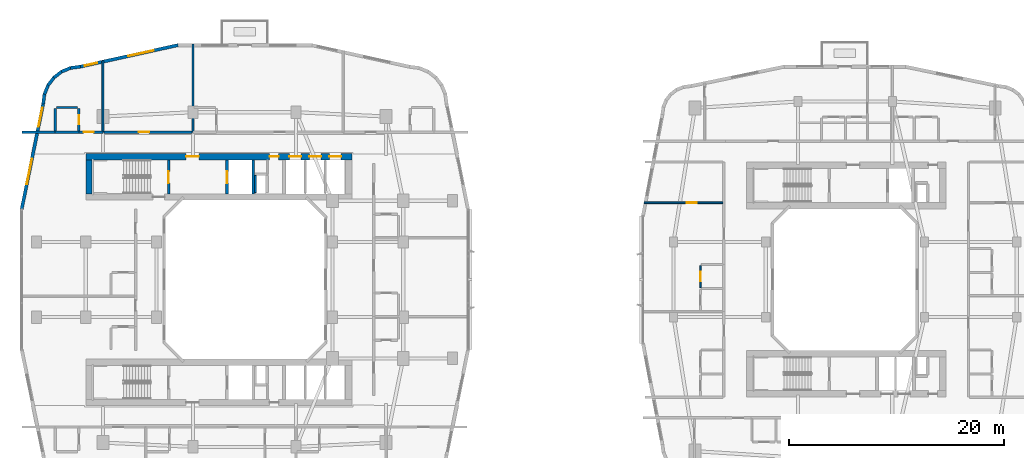
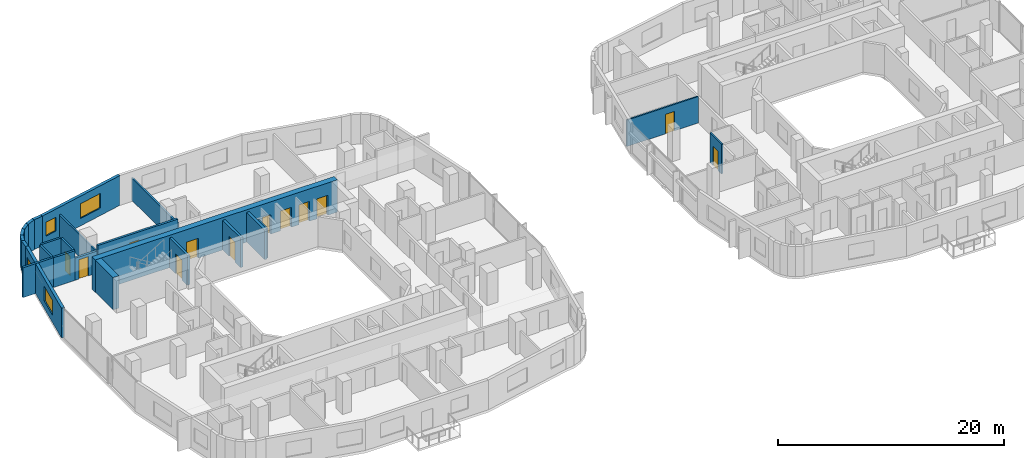
# One storey, part 11 of 22: 25 walls, 12 doors, 4 windows, 16 openings.
"""IFC4 building model written with IfcOpenShell, lengths in metres."""

from ifc_helpers import new_model, si_unit, derived_unit, direction, frame, frame_2d, origin, place, context, subcontext, project, spatial, rectangle, extrude, material, layer, layer_set, type_object, element, fill, save


model = new_model("IFC4")

# Units and contexts
model_context = context("Model", 3, precision=1e-05, world=origin(), true_north=direction((0.0, 1.0)))
body_context = subcontext(model_context, "Body", "Model", "MODEL_VIEW")
ifc_project = project(units=[si_unit("LENGTHUNIT", "METRE"), si_unit("AREAUNIT", "SQUARE_METRE"), si_unit("VOLUMEUNIT", "CUBIC_METRE"), si_unit("PLANEANGLEUNIT", "RADIAN"), si_unit("MASSUNIT", "GRAM", prefix="KILO"), derived_unit("THERMALTRANSMITTANCEUNIT", [(si_unit("POWERUNIT", "WATT"), 1), (si_unit("LENGTHUNIT", "METRE"), -2), (si_unit("THERMODYNAMICTEMPERATUREUNIT", "KELVIN"), -1)])], contexts=[model_context])

# Site, building, storey
site_placement = place(None, origin())
site = spatial("IfcSite", under=ifc_project, at=site_placement, CompositionType="ELEMENT")
building_placement = place(site_placement, origin())
building = spatial("IfcBuilding", under=site, at=building_placement, Name="Kivonza Crest Hotel", CompositionType="ELEMENT")
storey_placement = place(building_placement, frame((0.0, 0.0, 48.5)))
storey = spatial("IfcBuildingStorey", under=building, at=storey_placement, Name="L12", CompositionType="ELEMENT", Elevation=48.5)

# Walls
ifc_material_1 = material(Name="High-density acoustic masonry inter-tenancy wall", Category="masonry")
ifc_layer_1 = layer(ifc_material_1, 0.179931640625)
ifc_layer_set_1 = layer_set([ifc_layer_1], Name="High-density acoustic masonry inter-tenancy wall")
wall_type_1 = type_object("IfcWallType", Name="WL-ACOU-180", PredefinedType="SOLIDWALL", material=ifc_layer_set_1)
wall_1_placement = place(storey_placement, frame((7.800048828125, 38.75, 0.0), z_axis=(0.0, 0.0, 1.0), x_axis=(0.0, 1.0, 0.0)))
element("IfcWall", 1, at=wall_1_placement, inside=storey, type_object=wall_type_1, Name="L12 interior partition WA-L12-T1N-DIV1", PredefinedType="SOLIDWALL", context=body_context, shape_type="SweptSolid", body=[
    extrude(rectangle(XDim=6.656005859375, YDim=0.179931640625, at=frame_2d((3.328125, 0.0))), origin(), (0.0, 0.0, 1.0), 2.39501953125),
])
wall_2_placement = place(storey_placement, frame((16.199951171875, 38.75, 0.0), z_axis=(0.0, 0.0, 1.0), x_axis=(0.0, 1.0, 0.0)))
element("IfcWall", 2, at=wall_2_placement, inside=storey, type_object=wall_type_1, Name="L12 interior partition WA-L12-T1N-DIV2", PredefinedType="SOLIDWALL", context=body_context, shape_type="SweptSolid", body=[
    extrude(rectangle(XDim=8.18994140625, YDim=0.179931640625, at=frame_2d((4.094970703125, 0.0))), origin(), (0.0, 0.0, 1.0), 2.39501953125),
])
ifc_material_2 = material(Name="Autoclaved aerated concrete blockwork", Category="masonry")
ifc_layer_2 = layer(ifc_material_2, 0.219970703125)
ifc_layer_set_2 = layer_set([ifc_layer_2], Name="Autoclaved aerated concrete blockwork")
wall_type_2 = type_object("IfcWallType", Name="WL-ACOU-220", PredefinedType="SOLIDWALL", material=ifc_layer_set_2)
wall_3_placement = place(storey_placement, frame((0.239990234375, 38.75, 0.0), z_axis=(0.0, 0.0, 1.0), x_axis=(1.0, 0.0, 0.0)))
element("IfcWall", 3, at=wall_3_placement, inside=storey, type_object=wall_type_2, Name="L12 interior partition WA-L12-N01-XCORR", PredefinedType="SOLIDWALL", context=body_context, shape_type="SweptSolid", body=[
    extrude(rectangle(XDim=3.110107421875, YDim=0.219970703125, at=frame_2d((1.55517578125, 0.0))), origin(), (0.0, 0.0, 1.0), 3.219970703125),
])
wall_4_placement = place(storey_placement, frame((3.35009765625, 38.75, 0.0), z_axis=(0.0, 0.0, 1.0), x_axis=(1.0, 0.0, 0.0)))
element("IfcWall", 4, at=wall_4_placement, inside=storey, type_object=wall_type_2, Name="L12 interior partition WA-L12-N01-BCORR", PredefinedType="SOLIDWALL", context=body_context, shape_type="SweptSolid", body=[
    extrude(rectangle(XDim=2.199951171875, YDim=0.219970703125, at=frame_2d((1.10009765625, 0.0))), origin(), (0.0, 0.0, 1.0), 3.219970703125),
])

# Wall, opening, door
wall_5_placement = place(storey_placement, frame((5.550048828125, 38.75, 0.0), z_axis=(0.0, 0.0, 1.0), x_axis=(1.0, 0.0, 0.0)))
wall_5 = element("IfcWall", 5, at=wall_5_placement, inside=storey, type_object=wall_type_2, Name="L12 interior partition WA-L12-N01-MCORR", PredefinedType="SOLIDWALL", context=body_context, shape_type="SweptSolid", body=[
    extrude(rectangle(XDim=2.25, YDim=0.219970703125, at=frame_2d((1.125, 0.0))), origin(), (0.0, 0.0, 1.0), 2.39501953125),
])
opening_1_placement = place(wall_5_placement, frame((0.43994140625, 0.0, 0.0)))
opening_1 = element("IfcOpeningElement", 6, at=opening_1_placement, cuts=wall_5, Name="Opening DU-60", PredefinedType="OPENING", context=body_context, shape_type="SweptSolid", body=[
    extrude(rectangle(XDim=0.949951171875, YDim=2.10009765625, at=frame_2d((0.47509765625, 1.050048828125))), frame((0.0, 0.1201171875, 0.0), z_axis=(0.0, -1.0, 0.0), x_axis=(1.0, 0.0, 0.0)), (0.0, 0.0, 1.0), 0.239990234375),
])
ifc_material_3 = material(Name="Hardwood timber oak", Category="wood")
door_type_1 = type_object("IfcDoorType", Name="DR-UNIT-950", OperationType="NOTDEFINED", PredefinedType="DOOR", material=ifc_material_3)
door_1_placement = place(opening_1_placement, origin())
door_1 = element("IfcDoor", 7, at=door_1_placement, inside=storey, type_object=door_type_1, Name="L12 N01 guest unit entrance fire door", OperationType="SINGLE_SWING_LEFT", OverallHeight=2.10009765625, OverallWidth=0.949951171875, PredefinedType="DOOR", context=body_context, shape_type="SweptSolid", body=[
    extrude(rectangle(XDim=0.949951171875, YDim=2.10009765625, at=frame_2d((0.47509765625, 1.050048828125))), frame((0.0, 0.02490234375, 0.0), z_axis=(0.0, -1.0, 0.0), x_axis=(1.0, 0.0, 0.0)), (0.0, 0.0, 1.0), 0.050048828125),
])
fill(opening_1, door_1)

wall_6_placement = place(storey_placement, frame((7.89990234375, 38.75, 0.0), z_axis=(0.0, 0.0, 1.0), x_axis=(1.0, 0.0, 0.0)))
wall_6 = element("IfcWall", 8, at=wall_6_placement, inside=storey, type_object=wall_type_2, Name="L12 interior partition WA-L12-HK-MAIN-S", PredefinedType="SOLIDWALL", context=body_context, shape_type="SweptSolid", body=[
    extrude(rectangle(XDim=8.2001953125, YDim=0.219970703125, at=frame_2d((4.10009765625, 0.0))), origin(), (0.0, 0.0, 1.0), 2.955078125),
])
opening_2_placement = place(wall_6_placement, frame((3.251953125, 0.0, 0.0)))
opening_2 = element("IfcOpeningElement", 9, at=opening_2_placement, cuts=wall_6, Name="Opening DF-60S", PredefinedType="OPENING", context=body_context, shape_type="SweptSolid", body=[
    extrude(rectangle(XDim=0.949951171875, YDim=2.10009765625, at=frame_2d((0.47509765625, 1.050048828125))), frame((0.0, 0.1201171875, 0.0), z_axis=(0.0, -1.0, 0.0), x_axis=(1.0, 0.0, 0.0)), (0.0, 0.0, 1.0), 0.239990234375),
])
door_type_2 = type_object("IfcDoorType", Name="DR-FD60-950", OperationType="NOTDEFINED", PredefinedType="DOOR", material=ifc_material_3)
door_2_placement = place(opening_2_placement, origin())
door_2 = element("IfcDoor", 10, at=door_2_placement, inside=storey, type_object=door_type_2, Name="L12 Housekeeping and Linen Room door", OperationType="SINGLE_SWING_RIGHT", OverallHeight=2.10009765625, OverallWidth=0.949951171875, PredefinedType="DOOR", context=body_context, shape_type="SweptSolid", body=[
    extrude(rectangle(XDim=0.949951171875, YDim=2.10009765625, at=frame_2d((0.47509765625, 1.050048828125))), frame((0.0, 0.02490234375, 0.0), z_axis=(0.0, -1.0, 0.0), x_axis=(1.0, 0.0, 0.0)), (0.0, 0.0, 1.0), 0.050048828125),
])
fill(opening_2, door_2)

# Wall, openings, doors
ifc_material_4 = material(Name="Concrete C60/75", Category="concrete")
ifc_layer_3 = layer(ifc_material_4, 0.60009765625)
ifc_layer_set_3 = layer_set([ifc_layer_3], Name="Concrete C60/75")
wall_type_3 = type_object("IfcWallType", Name="WL-CORE-600", PredefinedType="SHEAR", material=ifc_layer_set_3)
wall_7_placement = place(storey_placement, frame((6.199951171875, 36.4599609375, 0.0), z_axis=(0.0, 0.0, 1.0), x_axis=(1.0, 0.0, 0.0)))
wall_7 = element("IfcWall", 11, at=wall_7_placement, inside=storey, type_object=wall_type_3, Name="Core wall T1-N North L12", PredefinedType="SHEAR", context=body_context, shape_type="SweptSolid", body=[
    extrude(rectangle(XDim=24.800048828125, YDim=0.60009765625, at=frame_2d((12.39990234375, 0.0))), origin(), (0.0, 0.0, 1.0), 3.5),
])
opening_3_placement = place(wall_7_placement, frame((9.35009765625, 0.0, 0.0)))
opening_3 = element("IfcOpeningElement", 12, at=opening_3_placement, cuts=wall_7, Name="Opening DF-60", PredefinedType="OPENING", context=body_context, shape_type="SweptSolid", body=[
    extrude(rectangle(XDim=1.199951171875, YDim=2.14990234375, at=frame_2d((0.60009765625, 1.074951171875))), frame((0.0, 0.31005859375, 0.0), z_axis=(0.0, -1.0, 0.0), x_axis=(1.0, 0.0, 0.0)), (0.0, 0.0, 1.0), 0.6201171875),
])
opening_4_placement = place(wall_7_placement, frame((17.139892578125, 0.0, 0.0)))
opening_4 = element("IfcOpeningElement", 13, at=opening_4_placement, cuts=wall_7, Name="Opening DF-60R", PredefinedType="OPENING", context=body_context, shape_type="SweptSolid", body=[
    extrude(rectangle(XDim=0.85009765625, YDim=2.10009765625, at=frame_2d((0.425048828125, 1.050048828125))), frame((0.0, 0.31005859375, 0.0), z_axis=(0.0, -1.0, 0.0), x_axis=(1.0, 0.0, 0.0)), (0.0, 0.0, 1.0), 0.6201171875),
])
opening_5_placement = place(wall_7_placement, frame((18.98291015625, 0.0, 0.0)))
opening_5 = element("IfcOpeningElement", 14, at=opening_5_placement, cuts=wall_7, Name="Opening LD-120", PredefinedType="OPENING", context=body_context, shape_type="SweptSolid", body=[
    extrude(rectangle(XDim=1.10009765625, YDim=2.14990234375, at=frame_2d((0.550048828125, 1.074951171875))), frame((0.0, 0.31005859375, 0.0), z_axis=(0.0, -1.0, 0.0), x_axis=(1.0, 0.0, 0.0)), (0.0, 0.0, 1.0), 0.6201171875),
])
opening_6_placement = place(wall_7_placement, frame((20.85009765625, 0.0, 0.0)))
opening_6 = element("IfcOpeningElement", 15, at=opening_6_placement, cuts=wall_7, Name="Opening LD-120", PredefinedType="OPENING", context=body_context, shape_type="SweptSolid", body=[
    extrude(rectangle(XDim=1.10009765625, YDim=2.14990234375, at=frame_2d((0.550048828125, 1.074951171875))), frame((0.0, 0.31005859375, 0.0), z_axis=(0.0, -1.0, 0.0), x_axis=(1.0, 0.0, 0.0)), (0.0, 0.0, 1.0), 0.6201171875),
])
opening_7_placement = place(wall_7_placement, frame((22.716064453125, 0.0, 0.0)))
opening_7 = element("IfcOpeningElement", 16, at=opening_7_placement, cuts=wall_7, Name="Opening LD-120", PredefinedType="OPENING", context=body_context, shape_type="SweptSolid", body=[
    extrude(rectangle(XDim=1.10009765625, YDim=2.14990234375, at=frame_2d((0.550048828125, 1.074951171875))), frame((0.0, 0.31005859375, 0.0), z_axis=(0.0, -1.0, 0.0), x_axis=(1.0, 0.0, 0.0)), (0.0, 0.0, 1.0), 0.6201171875),
])
door_type_3 = type_object("IfcDoorType", Name="DR-FD60-1200", OperationType="NOTDEFINED", PredefinedType="DOOR", material=ifc_material_3)
door_3_placement = place(opening_3_placement, origin())
door_3 = element("IfcDoor", 17, at=door_3_placement, inside=storey, type_object=door_type_3, Name="L12 T1-N firefighting lobby fire door", OperationType="SINGLE_SWING_RIGHT", OverallHeight=2.14990234375, OverallWidth=1.199951171875, PredefinedType="DOOR", context=body_context, shape_type="SweptSolid", body=[
    extrude(rectangle(XDim=1.199951171875, YDim=2.14990234375, at=frame_2d((0.60009765625, 1.074951171875))), frame((0.0, 0.02490234375, 0.0), z_axis=(0.0, -1.0, 0.0), x_axis=(1.0, 0.0, 0.0)), (0.0, 0.0, 1.0), 0.050048828125),
])
fill(opening_3, door_3)
door_type_4 = type_object("IfcDoorType", Name="DR-FD60-850", OperationType="NOTDEFINED", PredefinedType="DOOR", material=ifc_material_3)
door_4_placement = place(opening_4_placement, origin())
door_4 = element("IfcDoor", 18, at=door_4_placement, inside=storey, type_object=door_type_4, Name="L12 T1-N core room door", OperationType="SINGLE_SWING_RIGHT", OverallHeight=2.10009765625, OverallWidth=0.85009765625, PredefinedType="DOOR", context=body_context, shape_type="SweptSolid", body=[
    extrude(rectangle(XDim=0.85009765625, YDim=2.10009765625, at=frame_2d((0.425048828125, 1.050048828125))), frame((0.0, 0.02490234375, 0.0), z_axis=(0.0, -1.0, 0.0), x_axis=(1.0, 0.0, 0.0)), (0.0, 0.0, 1.0), 0.050048828125),
])
fill(opening_4, door_4)
ifc_material_5 = material(Name="Stainless steel", Category="steel")
door_type_5 = type_object("IfcDoorType", Name="DR-LD120-1100", OperationType="NOTDEFINED", PredefinedType="DOOR", material=ifc_material_5)
door_5_placement = place(opening_5_placement, origin())
door_5 = element("IfcDoor", 19, at=door_5_placement, inside=storey, type_object=door_type_5, Name="L12 PL-T1-L1 passenger lift sliding landing door", OperationType="DOUBLE_DOOR_SLIDING", OverallHeight=2.14990234375, OverallWidth=1.10009765625, PredefinedType="DOOR", context=body_context, shape_type="SweptSolid", body=[
    extrude(rectangle(XDim=1.10009765625, YDim=2.14990234375, at=frame_2d((0.550048828125, 1.074951171875))), frame((0.0, 0.02490234375, 0.0), z_axis=(0.0, -1.0, 0.0), x_axis=(1.0, 0.0, 0.0)), (0.0, 0.0, 1.0), 0.050048828125),
])
fill(opening_5, door_5)
door_6_placement = place(opening_6_placement, origin())
door_6 = element("IfcDoor", 20, at=door_6_placement, inside=storey, type_object=door_type_5, Name="L12 PL-T1-L2 passenger lift sliding landing door", OperationType="DOUBLE_DOOR_SLIDING", OverallHeight=2.14990234375, OverallWidth=1.10009765625, PredefinedType="DOOR", context=body_context, shape_type="SweptSolid", body=[
    extrude(rectangle(XDim=1.10009765625, YDim=2.14990234375, at=frame_2d((0.550048828125, 1.074951171875))), frame((0.0, 0.02490234375, 0.0), z_axis=(0.0, -1.0, 0.0), x_axis=(1.0, 0.0, 0.0)), (0.0, 0.0, 1.0), 0.050048828125),
])
fill(opening_6, door_6)
door_7_placement = place(opening_7_placement, origin())
door_7 = element("IfcDoor", 21, at=door_7_placement, inside=storey, type_object=door_type_5, Name="L12 PL-T1-L3 passenger lift sliding landing door", OperationType="DOUBLE_DOOR_SLIDING", OverallHeight=2.14990234375, OverallWidth=1.10009765625, PredefinedType="DOOR", context=body_context, shape_type="SweptSolid", body=[
    extrude(rectangle(XDim=1.10009765625, YDim=2.14990234375, at=frame_2d((0.550048828125, 1.074951171875))), frame((0.0, 0.02490234375, 0.0), z_axis=(0.0, -1.0, 0.0), x_axis=(1.0, 0.0, 0.0)), (0.0, 0.0, 1.0), 0.050048828125),
])
fill(opening_7, door_7)

# Wall
wall_8_placement = place(storey_placement, frame((6.5, 33.0, 0.0), z_axis=(0.0, 0.0, 1.0), x_axis=(0.0, 1.0, 0.0)))
element("IfcWall", 22, at=wall_8_placement, inside=storey, type_object=wall_type_3, Name="Core wall T1-N West L12", PredefinedType="SHEAR", context=body_context, shape_type="SweptSolid", body=[
    extrude(rectangle(XDim=3.159912109375, YDim=0.60009765625, at=frame_2d((1.580078125, 0.0))), origin(), (0.0, 0.0, 1.0), 3.5),
])

# Wall, openings, windows
ifc_material_6 = material(Name="Precast concrete C40/50", Category="concrete")
ifc_layer_4 = layer(ifc_material_6, 0.300048828125)
ifc_layer_set_4 = layer_set([ifc_layer_4], Name="Precast concrete C40/50")
wall_type_4 = type_object("IfcWallType", Name="WL-EXT-300", PredefinedType="STANDARD", material=ifc_layer_set_4)
wall_9_placement = place(storey_placement, frame((14.80810546875, 46.85888671875, 0.0), z_axis=(0.0, 0.0, 1.0), x_axis=(-0.976555357219, -0.21526642629, 0.0)))
wall_9 = element("IfcWall", 23, at=wall_9_placement, inside=storey, type_object=wall_type_4, Name="L12 T1 exterior insulated wall 27", PredefinedType="STANDARD", context=body_context, shape_type="SweptSolid", body=[
    extrude(rectangle(XDim=9.322509765625, YDim=0.300048828125, at=frame_2d((4.6611328125, 0.0))), origin(), (0.0, 0.0, 1.0), 3.219970703125),
])
opening_8_placement = place(wall_9_placement, frame((2.347900390625, 0.0, 0.800048828125)))
opening_8 = element("IfcOpeningElement", 24, at=opening_8_placement, cuts=wall_9, Name="Opening WN-05", PredefinedType="OPENING", context=body_context, shape_type="SweptSolid", body=[
    extrude(rectangle(XDim=2.39990234375, YDim=1.60009765625, at=frame_2d((1.199951171875, 0.800048828125))), frame((0.0, 0.16015625, 0.0), z_axis=(0.0, -1.0, 0.0), x_axis=(1.0, 0.0, 0.0)), (0.0, 0.0, 1.0), 0.320068359375),
])
opening_9_placement = place(wall_9_placement, frame((7.715087890625, 0.0, 0.85009765625)))
opening_9 = element("IfcOpeningElement", 25, at=opening_9_placement, cuts=wall_9, Name="Opening WN-01", PredefinedType="OPENING", context=body_context, shape_type="SweptSolid", body=[
    extrude(rectangle(XDim=1.199951171875, YDim=1.5, at=frame_2d((0.60009765625, 0.75))), frame((0.0, 0.16015625, 0.0), z_axis=(0.0, -1.0, 0.0), x_axis=(1.0, 0.0, 0.0)), (0.0, 0.0, 1.0), 0.320068359375),
])
ifc_material_7 = material(Name="Thermally broken bronze aluminium and low-E double glazing", Category="aluminium")
window_type_1 = type_object("IfcWindowType", Name="WN-120x150", PartitioningType="SINGLE_PANEL", PredefinedType="WINDOW", material=ifc_material_7)
window_1_placement = place(opening_9_placement, origin())
window_1 = element("IfcWindow", 26, at=window_1_placement, inside=storey, type_object=window_type_1, Name="L12 T1 facade window 27 bay 2", OverallHeight=1.5, OverallWidth=1.199951171875, PartitioningType="SINGLE_PANEL", PredefinedType="WINDOW", context=body_context, shape_type="SweptSolid", body=[
    extrude(rectangle(XDim=1.199951171875, YDim=1.5, at=frame_2d((0.60009765625, 0.75))), frame((0.0, 0.030029296875, 0.0), z_axis=(0.0, -1.0, 0.0), x_axis=(1.0, 0.0, 0.0)), (0.0, 0.0, 1.0), 0.06005859375),
])
fill(opening_9, window_1)
window_type_2 = type_object("IfcWindowType", Name="WN-240x160", PartitioningType="TRIPLE_PANEL_VERTICAL", PredefinedType="WINDOW", material=ifc_material_7)
window_2_placement = place(opening_8_placement, origin())
window_2 = element("IfcWindow", 27, at=window_2_placement, inside=storey, type_object=window_type_2, Name="L12 T1 facade window 27 bay 1", OverallHeight=1.60009765625, OverallWidth=2.39990234375, PartitioningType="SINGLE_PANEL", PredefinedType="WINDOW", context=body_context, shape_type="SweptSolid", body=[
    extrude(rectangle(XDim=2.39990234375, YDim=1.60009765625, at=frame_2d((1.199951171875, 0.800048828125))), frame((0.0, 0.030029296875, 0.0), z_axis=(0.0, -1.0, 0.0), x_axis=(1.0, 0.0, 0.0)), (0.0, 0.0, 1.0), 0.06005859375),
])
fill(opening_8, window_2)

# Walls
wall_10_placement = place(storey_placement, frame((5.7080078125, 44.85205078125, 0.0), z_axis=(0.0, 0.0, 1.0), x_axis=(-0.991359246108, -0.131174864804, 0.0)))
element("IfcWall", 28, at=wall_10_placement, inside=storey, type_object=wall_type_4, Name="L12 T1 exterior insulated wall 28", PredefinedType="STANDARD", context=body_context, shape_type="SweptSolid", body=[
    extrude(rectangle(XDim=0.93798828125, YDim=0.300048828125, at=frame_2d((0.468994140625, 0.0))), origin(), (0.0, 0.0, 1.0), 3.219970703125),
])
wall_11_placement = place(storey_placement, frame((4.827880859375, 44.748046875, 0.0), z_axis=(0.0, 0.0, 1.0), x_axis=(-0.923982547689, -0.382434636986, 0.0)))
element("IfcWall", 29, at=wall_11_placement, inside=storey, type_object=wall_type_4, Name="L12 T1 exterior insulated wall 29", PredefinedType="STANDARD", context=body_context, shape_type="SweptSolid", body=[
    extrude(rectangle(XDim=0.954345703125, YDim=0.300048828125, at=frame_2d((0.47705078125, 0.0))), origin(), (0.0, 0.0, 1.0), 3.219970703125),
])
for number, where, z_axis, x_axis, name in (
    (30, (3.990966796875, 44.4140625, 0.0), (0.0, 0.0, 1.0), (-0.793668068435, -0.608351047625, 0.0), "L12 T1 exterior insulated wall 30"),
    (31, (3.26806640625, 43.875, 0.0), (0.0, 0.0, 1.0), (-0.608351047625, -0.793668068435, 0.0), "L12 T1 exterior insulated wall 31"),
):
    element("IfcWall", number, at=place(storey_placement, frame(where, z_axis=z_axis, x_axis=x_axis)), inside=storey, type_object=wall_type_4, Name=name, PredefinedType="STANDARD", context=body_context, shape_type="SweptSolid", body=[
        extrude(rectangle(XDim=0.955078125, YDim=0.300048828125, at=frame_2d((0.4775390625, 0.0))), origin(), (0.0, 0.0, 1.0), 3.219970703125),
    ])
wall_12_placement = place(storey_placement, frame((2.7109375, 43.166015625, 0.0), z_axis=(0.0, 0.0, 1.0), x_axis=(-0.382344263057, -0.924019948111, 0.0)))
element("IfcWall", 32, at=wall_12_placement, inside=storey, type_object=wall_type_4, Name="L12 T1 exterior insulated wall 32", PredefinedType="STANDARD", context=body_context, shape_type="SweptSolid", body=[
    extrude(rectangle(XDim=0.95458984375, YDim=0.300048828125, at=frame_2d((0.477294921875, 0.0))), origin(), (0.0, 0.0, 1.0), 3.219970703125),
])
wall_13_placement = place(storey_placement, frame((2.35498046875, 42.3369140625, 0.0), z_axis=(0.0, 0.0, 1.0), x_axis=(-0.130454512571, -0.991454295543, 0.0)))
element("IfcWall", 33, at=wall_13_placement, inside=storey, type_object=wall_type_4, Name="L12 T1 exterior insulated wall 33", PredefinedType="STANDARD", context=body_context, shape_type="SweptSolid", body=[
    extrude(rectangle(XDim=0.97314453125, YDim=0.300048828125, at=frame_2d((0.486572265625, 0.0))), origin(), (0.0, 0.0, 1.0), 3.219970703125),
])

# Wall, openings, windows
wall_14_placement = place(storey_placement, frame((2.22900390625, 41.3779296875, 0.0), z_axis=(0.0, 0.0, 1.0), x_axis=(-0.199990901713, -0.979797754249, 0.0)))
wall_14 = element("IfcWall", 34, at=wall_14_placement, inside=storey, type_object=wall_type_4, Name="L12 T1 exterior insulated wall 34", PredefinedType="STANDARD", context=body_context, shape_type="SweptSolid", body=[
    extrude(rectangle(XDim=10.065185546875, YDim=0.300048828125, at=frame_2d((5.03271484375, 0.0))), origin(), (0.0, 0.0, 1.0), 3.219970703125),
])
opening_10_placement = place(wall_14_placement, frame((0.3779296875, 0.0, 0.85009765625)))
opening_10 = element("IfcOpeningElement", 35, at=opening_10_placement, cuts=wall_14, Name="Opening WN-03", PredefinedType="OPENING", context=body_context, shape_type="SweptSolid", body=[
    extrude(rectangle(XDim=1.800048828125, YDim=1.5, at=frame_2d((0.89990234375, 0.75))), frame((0.0, 0.16015625, 0.0), z_axis=(0.0, -1.0, 0.0), x_axis=(1.0, 0.0, 0.0)), (0.0, 0.0, 1.0), 0.320068359375),
])
opening_11_placement = place(wall_14_placement, frame((5.236083984375, 0.0, 0.800048828125)))
opening_11 = element("IfcOpeningElement", 36, at=opening_11_placement, cuts=wall_14, Name="Opening WN-05", PredefinedType="OPENING", context=body_context, shape_type="SweptSolid", body=[
    extrude(rectangle(XDim=2.39990234375, YDim=1.60009765625, at=frame_2d((1.199951171875, 0.800048828125))), frame((0.0, 0.16015625, 0.0), z_axis=(0.0, -1.0, 0.0), x_axis=(1.0, 0.0, 0.0)), (0.0, 0.0, 1.0), 0.320068359375),
])
window_type_3 = type_object("IfcWindowType", Name="WN-180x150", PartitioningType="DOUBLE_PANEL_VERTICAL", PredefinedType="WINDOW", material=ifc_material_7)
window_3_placement = place(opening_10_placement, origin())
window_3 = element("IfcWindow", 37, at=window_3_placement, inside=storey, type_object=window_type_3, Name="L12 T1 facade window 34 bay 1", OverallHeight=1.5, OverallWidth=1.800048828125, PartitioningType="SINGLE_PANEL", PredefinedType="WINDOW", context=body_context, shape_type="SweptSolid", body=[
    extrude(rectangle(XDim=1.800048828125, YDim=1.5, at=frame_2d((0.89990234375, 0.75))), frame((0.0, 0.030029296875, 0.0), z_axis=(0.0, -1.0, 0.0), x_axis=(1.0, 0.0, 0.0)), (0.0, 0.0, 1.0), 0.06005859375),
])
fill(opening_10, window_3)
window_4_placement = place(opening_11_placement, origin())
window_4 = element("IfcWindow", 38, at=window_4_placement, inside=storey, type_object=window_type_2, Name="L12 T1 facade window 34 bay 2", OverallHeight=1.60009765625, OverallWidth=2.39990234375, PartitioningType="SINGLE_PANEL", PredefinedType="WINDOW", context=body_context, shape_type="SweptSolid", body=[
    extrude(rectangle(XDim=2.39990234375, YDim=1.60009765625, at=frame_2d((1.199951171875, 0.800048828125))), frame((0.0, 0.030029296875, 0.0), z_axis=(0.0, -1.0, 0.0), x_axis=(1.0, 0.0, 0.0)), (0.0, 0.0, 1.0), 0.06005859375),
])
fill(opening_11, window_4)

# Wall
ifc_material_8 = material(Name="Twin-stud acoustic gypsum board partition", Category="gypsum")
ifc_layer_5 = layer(ifc_material_8, 0.14990234375)
ifc_layer_set_5 = layer_set([ifc_layer_5], Name="Twin-stud acoustic gypsum board partition")
wall_type_5 = type_object("IfcWallType", Name="WL-PART-150", PredefinedType="PARTITIONING", material=ifc_layer_set_5)
wall_15_placement = place(storey_placement, frame((22.030029296875, 33.10009765625, 0.0), z_axis=(0.0, 0.0, 1.0), x_axis=(0.0, 1.0, 0.0)))
element("IfcWall", 39, at=wall_15_placement, inside=storey, type_object=wall_type_5, Name="L12 interior partition WA-L12-T1-N-MEPR-W", PredefinedType="PARTITIONING", context=body_context, shape_type="SweptSolid", body=[
    extrude(rectangle(XDim=1.619873046875, YDim=0.14990234375, at=frame_2d((0.81005859375, 0.0))), origin(), (0.0, 0.0, 1.0), 3.219970703125),
])

# Wall, opening, door
wall_16_placement = place(storey_placement, frame((58.260009765625, 32.159912109375, 0.0), z_axis=(0.0, 0.0, 1.0), x_axis=(1.0, 0.0, 0.0)))
wall_16 = element("IfcWall", 40, at=wall_16_placement, inside=storey, type_object=wall_type_5, Name="L12 interior partition WP-L12-A06-BD1", PredefinedType="PARTITIONING", context=body_context, shape_type="SweptSolid", body=[
    extrude(rectangle(XDim=7.340087890625, YDim=0.14990234375, at=frame_2d((3.669921875, 0.0))), origin(), (0.0, 0.0, 1.0), 2.864990234375),
])
opening_12_placement = place(wall_16_placement, frame((3.989990234375, 0.0, 0.0)))
opening_12 = element("IfcOpeningElement", 41, at=opening_12_placement, cuts=wall_16, Name="Opening DI-90", PredefinedType="OPENING", context=body_context, shape_type="SweptSolid", body=[
    extrude(rectangle(XDim=0.89990234375, YDim=2.10009765625, at=frame_2d((0.449951171875, 1.050048828125))), frame((0.0, 0.0849609375, 0.0), z_axis=(0.0, -1.0, 0.0), x_axis=(1.0, 0.0, 0.0)), (0.0, 0.0, 1.0), 0.169921875),
])
door_type_6 = type_object("IfcDoorType", Name="DR-INT-900", OperationType="NOTDEFINED", PredefinedType="DOOR", material=ifc_material_3)
door_8_placement = place(opening_12_placement, origin())
door_8 = element("IfcDoor", 42, at=door_8_placement, inside=storey, type_object=door_type_6, Name="L12 A06 bedroom door", OperationType="SINGLE_SWING_LEFT", OverallHeight=2.10009765625, OverallWidth=0.89990234375, PredefinedType="DOOR", context=body_context, shape_type="SweptSolid", body=[
    extrude(rectangle(XDim=0.89990234375, YDim=2.10009765625, at=frame_2d((0.449951171875, 1.050048828125))), frame((0.0, 0.02490234375, 0.0), z_axis=(0.0, -1.0, 0.0), x_axis=(1.0, 0.0, 0.0)), (0.0, 0.0, 1.0), 0.050048828125),
])
fill(opening_12, door_8)

wall_17_placement = place(storey_placement, frame((63.5, 24.25, 0.0), z_axis=(0.0, 0.0, 1.0), x_axis=(0.0, 1.0, 0.0)))
wall_17 = element("IfcWall", 43, at=wall_17_placement, inside=storey, type_object=wall_type_5, Name="L12 interior partition WP-L12-A06-KSVC", PredefinedType="PARTITIONING", context=body_context, shape_type="SweptSolid", body=[
    extrude(rectangle(XDim=2.050048828125, YDim=0.14990234375, at=frame_2d((1.02490234375, 0.0))), origin(), (0.0, 0.0, 1.0), 3.219970703125),
])
opening_13_placement = place(wall_17_placement, frame((0.574951171875, 0.0, 0.0)))
opening_13 = element("IfcOpeningElement", 44, at=opening_13_placement, cuts=wall_17, Name="Opening DI-90", PredefinedType="OPENING", context=body_context, shape_type="SweptSolid", body=[
    extrude(rectangle(XDim=0.89990234375, YDim=2.10009765625, at=frame_2d((0.449951171875, 1.050048828125))), frame((0.0, 0.0849609375, 0.0), z_axis=(0.0, -1.0, 0.0), x_axis=(1.0, 0.0, 0.0)), (0.0, 0.0, 1.0), 0.169921875),
])
door_9_placement = place(opening_13_placement, origin())
door_9 = element("IfcDoor", 45, at=door_9_placement, inside=storey, type_object=door_type_6, Name="L12 A06 apartment kitchen door", OperationType="SINGLE_SWING_RIGHT", OverallHeight=2.10009765625, OverallWidth=0.89990234375, PredefinedType="DOOR", context=body_context, shape_type="SweptSolid", body=[
    extrude(rectangle(XDim=0.89990234375, YDim=2.10009765625, at=frame_2d((0.449951171875, 1.050048828125))), frame((0.0, 0.02490234375, 0.0), z_axis=(0.0, -1.0, 0.0), x_axis=(1.0, 0.0, 0.0)), (0.0, 0.0, 1.0), 0.050048828125),
])
fill(opening_13, door_9)

ifc_material_9 = material(Name="Moisture-resistant plumbing chase partition wall", Category="gypsum")
ifc_layer_6 = layer(ifc_material_9, 0.199951171875)
ifc_layer_set_6 = layer_set([ifc_layer_6], Name="Moisture-resistant plumbing chase partition wall")
wall_type_6 = type_object("IfcWallType", Name="WL-PLUMB-200", PredefinedType="PLUMBINGWALL", material=ifc_layer_set_6)
wall_18_placement = place(storey_placement, frame((5.550048828125, 38.85009765625, 0.0), z_axis=(0.0, 0.0, 1.0), x_axis=(0.0, 1.0, 0.0)))
wall_18 = element("IfcWall", 46, at=wall_18_placement, inside=storey, type_object=wall_type_6, Name="L12 interior partition WW-L12-N01-BV", PredefinedType="PLUMBINGWALL", context=body_context, shape_type="SweptSolid", body=[
    extrude(rectangle(XDim=2.099853515625, YDim=0.199951171875, at=frame_2d((1.0498046875, 0.0))), origin(), (0.0, 0.0, 1.0), 3.219970703125),
])
opening_14_placement = place(wall_18_placement, frame((0.625, 0.0, 0.0)))
opening_14 = element("IfcOpeningElement", 47, at=opening_14_placement, cuts=wall_18, Name="Opening DI-85", PredefinedType="OPENING", context=body_context, shape_type="SweptSolid", body=[
    extrude(rectangle(XDim=0.85009765625, YDim=2.10009765625, at=frame_2d((0.425048828125, 1.050048828125))), frame((0.0, 0.10986328125, 0.0), z_axis=(0.0, -1.0, 0.0), x_axis=(1.0, 0.0, 0.0)), (0.0, 0.0, 1.0), 0.219970703125),
])
door_type_7 = type_object("IfcDoorType", Name="DR-INT-850", OperationType="NOTDEFINED", PredefinedType="DOOR", material=ifc_material_3)
door_10_placement = place(opening_14_placement, frame((0.85009765625, 0.0, 0.0), z_axis=(0.0, 0.0, 1.0), x_axis=(-1.0, 0.0, 0.0)))
door_10 = element("IfcDoor", 48, at=door_10_placement, inside=storey, type_object=door_type_7, Name="L12 N01 en-suite bathroom door", OperationType="SINGLE_SWING_RIGHT", OverallHeight=2.10009765625, OverallWidth=0.85009765625, PredefinedType="DOOR", context=body_context, shape_type="SweptSolid", body=[
    extrude(rectangle(XDim=0.85009765625, YDim=2.10009765625, at=frame_2d((0.425048828125, 1.050048828125))), frame((0.0, 0.02490234375, 0.0), z_axis=(0.0, -1.0, 0.0), x_axis=(1.0, 0.0, 0.0)), (0.0, 0.0, 1.0), 0.050048828125),
])
fill(opening_14, door_10)

# Walls
wall_19_placement = place(storey_placement, frame((3.449951171875, 41.050048828125, 0.0), z_axis=(0.0, 0.0, 1.0), x_axis=(1.0, 0.0, 0.0)))
element("IfcWall", 49, at=wall_19_placement, inside=storey, type_object=wall_type_6, Name="L12 interior partition WW-L12-N01-BH", PredefinedType="PLUMBINGWALL", context=body_context, shape_type="SweptSolid", body=[
    extrude(rectangle(XDim=2.0, YDim=0.199951171875, at=frame_2d((1.0, 0.0))), origin(), (0.0, 0.0, 1.0), 3.219970703125),
])
wall_20_placement = place(storey_placement, frame((3.35009765625, 38.85009765625, 0.0), z_axis=(0.0, 0.0, 1.0), x_axis=(0.0, 1.0, 0.0)))
element("IfcWall", 50, at=wall_20_placement, inside=storey, type_object=wall_type_6, Name="L12 interior partition WW-L12-N01-BVW", PredefinedType="PLUMBINGWALL", context=body_context, shape_type="SweptSolid", body=[
    extrude(rectangle(XDim=2.099853515625, YDim=0.199951171875, at=frame_2d((1.0498046875, 0.0))), origin(), (0.0, 0.0, 1.0), 3.219970703125),
])

# Wall, opening, door
ifc_material_10 = material(Name="Concrete C50/60", Category="concrete")
ifc_layer_7 = layer(ifc_material_10, 0.25)
ifc_layer_set_7 = layer_set([ifc_layer_7], Name="Concrete C50/60")
wall_type_7 = type_object("IfcWallType", Name="WL-SHAFT-250", PredefinedType="STANDARD", material=ifc_layer_set_7)
wall_21_placement = place(storey_placement, frame((13.925048828125, 33.0, 0.0), z_axis=(0.0, 0.0, 1.0), x_axis=(0.0, 1.0, 0.0)))
wall_21 = element("IfcWall", 51, at=wall_21_placement, inside=storey, type_object=wall_type_7, Name="Core shaft wall T1-N STAIR L12", PredefinedType="STANDARD", context=body_context, shape_type="SweptSolid", body=[
    extrude(rectangle(XDim=3.159912109375, YDim=0.25, at=frame_2d((1.580078125, 0.0))), origin(), (0.0, 0.0, 1.0), 3.219970703125),
])
opening_15_placement = place(wall_21_placement, frame((0.97998046875, 0.0, 0.0)))
opening_15 = element("IfcOpeningElement", 52, at=opening_15_placement, cuts=wall_21, Name="Opening DF-120", PredefinedType="OPENING", context=body_context, shape_type="SweptSolid", body=[
    extrude(rectangle(XDim=1.10009765625, YDim=2.14990234375, at=frame_2d((0.550048828125, 1.074951171875))), frame((0.0, 0.135009765625, 0.0), z_axis=(0.0, -1.0, 0.0), x_axis=(1.0, 0.0, 0.0)), (0.0, 0.0, 1.0), 0.27001953125),
])
ifc_material_11 = material(Name="Galvanised steel", Category="steel")
door_type_8 = type_object("IfcDoorType", Name="DR-FD120-1100", OperationType="NOTDEFINED", PredefinedType="DOOR", material=ifc_material_11)
door_11_placement = place(opening_15_placement, frame((1.10009765625, 0.0, 0.0), z_axis=(0.0, 0.0, 1.0), x_axis=(-1.0, 0.0, 0.0)))
door_11 = element("IfcDoor", 53, at=door_11_placement, inside=storey, type_object=door_type_8, Name="L12 T1-N stair fire door", OperationType="SINGLE_SWING_LEFT", OverallHeight=2.14990234375, OverallWidth=1.10009765625, PredefinedType="DOOR", context=body_context, shape_type="SweptSolid", body=[
    extrude(rectangle(XDim=1.10009765625, YDim=2.14990234375, at=frame_2d((0.550048828125, 1.074951171875))), frame((0.0, 0.02490234375, 0.0), z_axis=(0.0, -1.0, 0.0), x_axis=(1.0, 0.0, 0.0)), (0.0, 0.0, 1.0), 0.050048828125),
])
fill(opening_15, door_11)

wall_22_placement = place(storey_placement, frame((19.375, 33.0, 0.0), z_axis=(0.0, 0.0, 1.0), x_axis=(0.0, 1.0, 0.0)))
wall_22 = element("IfcWall", 54, at=wall_22_placement, inside=storey, type_object=wall_type_7, Name="Core shaft wall T1-N FFL-W L12", PredefinedType="STANDARD", context=body_context, shape_type="SweptSolid", body=[
    extrude(rectangle(XDim=3.159912109375, YDim=0.25, at=frame_2d((1.580078125, 0.0))), origin(), (0.0, 0.0, 1.0), 3.219970703125),
])
opening_16_placement = place(wall_22_placement, frame((0.97998046875, 0.0, 0.0)))
opening_16 = element("IfcOpeningElement", 55, at=opening_16_placement, cuts=wall_22, Name="Opening LD-120", PredefinedType="OPENING", context=body_context, shape_type="SweptSolid", body=[
    extrude(rectangle(XDim=1.10009765625, YDim=2.14990234375, at=frame_2d((0.550048828125, 1.074951171875))), frame((0.0, 0.135009765625, 0.0), z_axis=(0.0, -1.0, 0.0), x_axis=(1.0, 0.0, 0.0)), (0.0, 0.0, 1.0), 0.27001953125),
])
door_12_placement = place(opening_16_placement, origin())
door_12 = element("IfcDoor", 56, at=door_12_placement, inside=storey, type_object=door_type_5, Name="L12 FFL-T1-N firefighting lift sliding landing door", OperationType="DOUBLE_DOOR_SLIDING", OverallHeight=2.14990234375, OverallWidth=1.10009765625, PredefinedType="DOOR", context=body_context, shape_type="SweptSolid", body=[
    extrude(rectangle(XDim=1.10009765625, YDim=2.14990234375, at=frame_2d((0.550048828125, 1.074951171875))), frame((0.0, 0.02490234375, 0.0), z_axis=(0.0, -1.0, 0.0), x_axis=(1.0, 0.0, 0.0)), (0.0, 0.0, 1.0), 0.050048828125),
])
fill(opening_16, door_12)

# Wall
wall_23_placement = place(storey_placement, frame((21.824951171875, 33.0, 0.0), z_axis=(0.0, 0.0, 1.0), x_axis=(0.0, 1.0, 0.0)))
element("IfcWall", 57, at=wall_23_placement, inside=storey, type_object=wall_type_7, Name="Core shaft wall T1-N FFL-E L12", PredefinedType="STANDARD", context=body_context, shape_type="SweptSolid", body=[
    extrude(rectangle(XDim=3.159912109375, YDim=0.25, at=frame_2d((1.580078125, 0.0))), origin(), (0.0, 0.0, 1.0), 3.219970703125),
])

save(model, "model.ifc")
